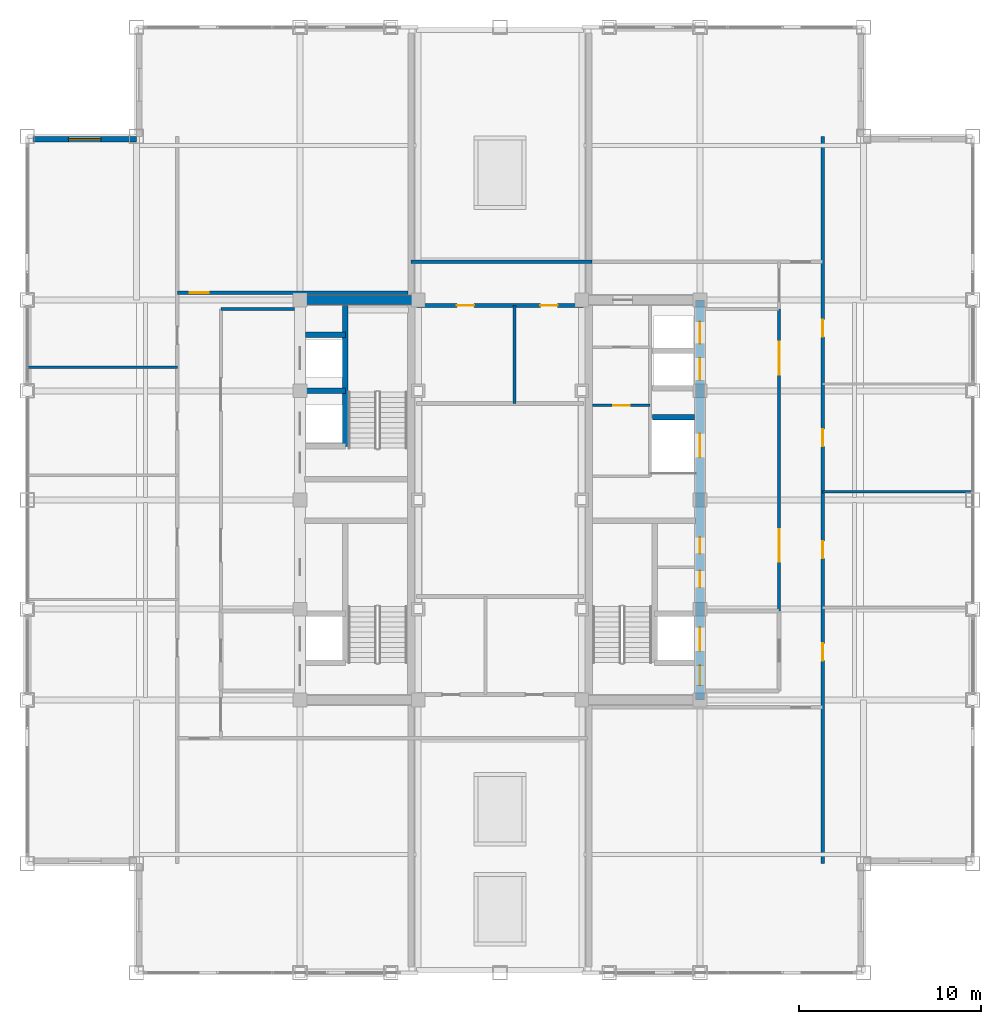
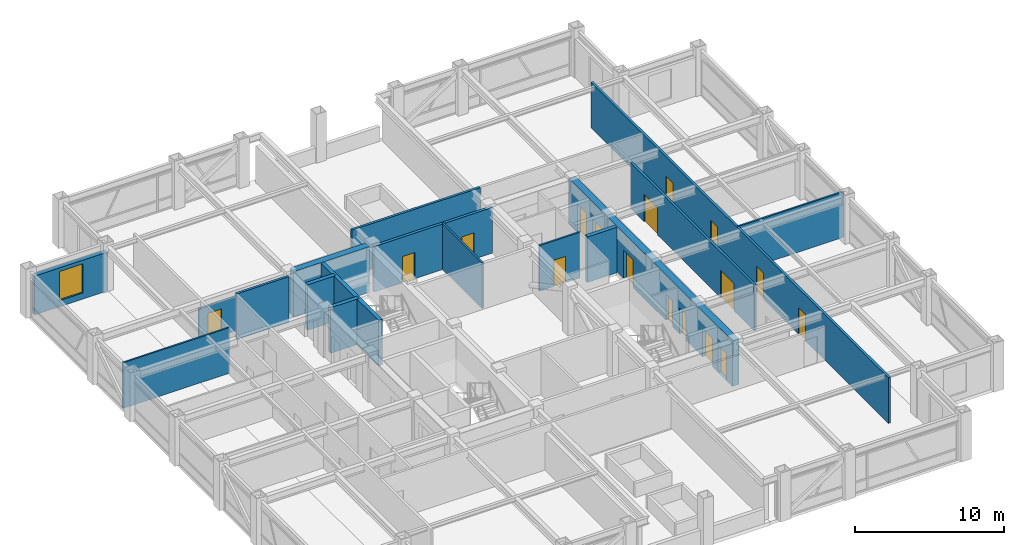
# One storey, part 27 of 29: 17 doors, 17 walls, 1 window, 18 openings.
"""IFC4 building model written with IfcOpenShell, lengths in metres."""

from ifc_helpers import new_model, si_unit, direction, frame, frame_2d, origin, place, context, subcontext, project, spatial, rectangle, extrude, source, transform, mapped, material, layer, layer_set, type_object, element, fill, save


model = new_model("IFC4")

# Units and contexts
model_context = context("Model", 3, precision=1e-05, world=origin(), true_north=direction((0.0, 1.0)))
body_context = subcontext(model_context, "Body", "Model", "MODEL_VIEW")
ifc_project = project(units=[si_unit("LENGTHUNIT", "METRE"), si_unit("AREAUNIT", "SQUARE_METRE"), si_unit("VOLUMEUNIT", "CUBIC_METRE"), si_unit("PLANEANGLEUNIT", "RADIAN"), si_unit("MASSUNIT", "GRAM", prefix="KILO")], contexts=[model_context])

# Site, building, storey
site_placement = place(None, origin())
site = spatial("IfcSite", under=ifc_project, at=site_placement, CompositionType="ELEMENT")
building_placement = place(site_placement, origin())
building = spatial("IfcBuilding", under=site, at=building_placement, Name="Khorayat Bourse Tower", CompositionType="ELEMENT")
storey_placement = place(building_placement, frame((0.0, 0.0, 346.300048828125)))
storey = spatial("IfcBuildingStorey", under=building, at=storey_placement, Name="L82", CompositionType="ELEMENT", Elevation=346.300048828125)

# Wall, openings, doors
ifc_material_1 = material(Name="Concrete C52/65", Category="concrete")
ifc_layer_1 = layer(ifc_material_1, 0.5)
ifc_layer_set_1 = layer_set([ifc_layer_1], Name="Concrete C52/65")
wall_type_1 = type_object("IfcWallType", Name="WAL-CORE-500", PredefinedType="SHEAR", material=ifc_layer_set_1)
shared_shape_1 = source(origin(), body_context, "Body", "SweptSolid", [
    extrude(rectangle(XDim=22.0, YDim=0.5, at=frame_2d((11.0, 0.0))), origin(), (0.0, 0.0, 1.0), 3.739990234375),
])
wall_1_placement = place(storey_placement, frame((11.0, -11.0, 0.0), z_axis=(0.0, 0.0, 1.0), x_axis=(0.0, 1.0, 0.0)))
wall_1 = element("IfcWall", 1, at=wall_1_placement, inside=storey, type_object=wall_type_1, Name="L82 Core Shear Wall CORE-E", PredefinedType="SHEAR", context=body_context, shape_type="MappedRepresentation", body=[
    mapped(shared_shape_1, transform((0.0, 0.0, 0.0), scale=1.0)),
])
shared_shape_2 = source(origin(), body_context, "Body", "SweptSolid", [
    extrude(rectangle(XDim=1.10009765625, YDim=2.199951171875, at=frame_2d((0.550048828125, 1.10009765625))), frame((0.0, 0.260009765625, 0.0), z_axis=(0.0, -1.0, 0.0), x_axis=(1.0, 0.0, 0.0)), (0.0, 0.0, 1.0), 0.52001953125),
])
opening_1_placement = place(wall_1_placement, frame((0.800048828125, 0.0, 0.0)))
opening_1 = element("IfcOpeningElement", 2, at=opening_1_placement, cuts=wall_1, Name="Opening DI-01", PredefinedType="OPENING", context=body_context, shape_type="MappedRepresentation", body=[
    mapped(shared_shape_2, transform((0.0, 0.0, 0.0), scale=1.0)),
])
shared_shape_3 = source(origin(), body_context, "Body", "SweptSolid", [
    extrude(rectangle(XDim=0.89990234375, YDim=2.14990234375, at=frame_2d((0.449951171875, 1.074951171875))), frame((0.0, 0.260009765625, 0.0), z_axis=(0.0, -1.0, 0.0), x_axis=(1.0, 0.0, 0.0)), (0.0, 0.0, 1.0), 0.52001953125),
])
opening_2_placement = place(wall_1_placement, frame((6.199951171875, 0.0, 0.0)))
opening_2 = element("IfcOpeningElement", 3, at=opening_2_placement, cuts=wall_1, Name="Opening DI-06", PredefinedType="OPENING", context=body_context, shape_type="MappedRepresentation", body=[
    mapped(shared_shape_3, transform((0.0, 0.0, 0.0), scale=1.0)),
])
opening_3_placement = place(wall_1_placement, frame((8.050048828125, 0.0, 0.0)))
opening_3 = element("IfcOpeningElement", 4, at=opening_3_placement, cuts=wall_1, Name="Opening DI-06", PredefinedType="OPENING", context=body_context, shape_type="MappedRepresentation", body=[
    mapped(shared_shape_3, transform((0.0, 0.0, 0.0), scale=1.0)),
])
shared_shape_4 = source(origin(), body_context, "Body", "SweptSolid", [
    extrude(rectangle(XDim=1.199951171875, YDim=2.300048828125, at=frame_2d((0.60009765625, 1.14990234375))), frame((0.0, 0.260009765625, 0.0), z_axis=(0.0, -1.0, 0.0), x_axis=(1.0, 0.0, 0.0)), (0.0, 0.0, 1.0), 0.52001953125),
])
opening_4_placement = place(wall_1_placement, frame((17.60009765625, 0.0, 0.0)))
opening_4 = element("IfcOpeningElement", 5, at=opening_4_placement, cuts=wall_1, Name="Opening LD-01", PredefinedType="OPENING", context=body_context, shape_type="MappedRepresentation", body=[
    mapped(shared_shape_4, transform((0.0, 0.0, 0.0), scale=1.0)),
])
opening_5_placement = place(wall_1_placement, frame((19.60009765625, 0.0, 0.0)))
opening_5 = element("IfcOpeningElement", 6, at=opening_5_placement, cuts=wall_1, Name="Opening LD-01", PredefinedType="OPENING", context=body_context, shape_type="MappedRepresentation", body=[
    mapped(shared_shape_4, transform((0.0, 0.0, 0.0), scale=1.0)),
])
shared_shape_5 = source(origin(), body_context, "Body", "SweptSolid", [
    extrude(rectangle(XDim=1.300048828125, YDim=2.300048828125, at=frame_2d((0.64990234375, 1.14990234375))), frame((0.0, 0.260009765625, 0.0), z_axis=(0.0, -1.0, 0.0), x_axis=(1.0, 0.0, 0.0)), (0.0, 0.0, 1.0), 0.52001953125),
])
opening_6_placement = place(wall_1_placement, frame((2.699951171875, 0.0, 0.0)))
opening_6 = element("IfcOpeningElement", 7, at=opening_6_placement, cuts=wall_1, Name="Opening LD-02", PredefinedType="OPENING", context=body_context, shape_type="MappedRepresentation", body=[
    mapped(shared_shape_5, transform((0.0, 0.0, 0.0), scale=1.0)),
])
opening_7_placement = place(wall_1_placement, frame((13.35009765625, 0.0, 0.0)))
opening_7 = element("IfcOpeningElement", 8, at=opening_7_placement, cuts=wall_1, Name="Opening LD-02", PredefinedType="OPENING", context=body_context, shape_type="MappedRepresentation", body=[
    mapped(shared_shape_5, transform((0.0, 0.0, 0.0), scale=1.0)),
])
ifc_material_2 = material(Name="Fire-rated steel acoustic leaf", Category="steel")
door_type_1 = type_object("IfcDoorType", Name="DR-INT-STAIR-1100", OperationType="NOTDEFINED", PredefinedType="DOOR", material=ifc_material_2)
shared_shape_6 = source(origin(), body_context, "Body", "SweptSolid", [
    extrude(rectangle(XDim=1.10009765625, YDim=2.199951171875, at=frame_2d((0.550048828125, 1.10009765625))), frame((0.0, 0.02490234375, 0.0), z_axis=(0.0, -1.0, 0.0), x_axis=(1.0, 0.0, 0.0)), (0.0, 0.0, 1.0), 0.050048828125),
])
door_1_placement = place(opening_1_placement, origin())
door_1 = element("IfcDoor", 9, at=door_1_placement, inside=storey, type_object=door_type_1, Name="L82 Exit Stair 3 Door", OperationType="SINGLE_SWING_LEFT", OverallHeight=2.199951171875, OverallWidth=1.10009765625, PredefinedType="DOOR", context=body_context, shape_type="MappedRepresentation", body=[
    mapped(shared_shape_6, transform((0.0, 0.0, 0.0), scale=1.0)),
])
fill(opening_1, door_1)
ifc_material_3 = material(Name="Moisture-resistant laminate washroom door")
door_type_2 = type_object("IfcDoorType", Name="DR-INT-WC-900", OperationType="NOTDEFINED", PredefinedType="DOOR", material=ifc_material_3)
shared_shape_7 = source(origin(), body_context, "Body", "SweptSolid", [
    extrude(rectangle(XDim=0.89990234375, YDim=2.14990234375, at=frame_2d((0.449951171875, 1.074951171875))), frame((0.0, 0.02490234375, 0.0), z_axis=(0.0, -1.0, 0.0), x_axis=(1.0, 0.0, 0.0)), (0.0, 0.0, 1.0), 0.050048828125),
])
door_2_placement = place(opening_2_placement, origin())
door_2 = element("IfcDoor", 10, at=door_2_placement, inside=storey, type_object=door_type_2, Name="L82 Comms Closet Door", OperationType="SINGLE_SWING_LEFT", OverallHeight=2.14990234375, OverallWidth=0.89990234375, PredefinedType="DOOR", context=body_context, shape_type="MappedRepresentation", body=[
    mapped(shared_shape_7, transform((0.0, 0.0, 0.0), scale=1.0)),
])
fill(opening_2, door_2)
door_3_placement = place(opening_3_placement, origin())
door_3 = element("IfcDoor", 11, at=door_3_placement, inside=storey, type_object=door_type_2, Name="L82 Cleaner Store Door", OperationType="SINGLE_SWING_RIGHT", OverallHeight=2.14990234375, OverallWidth=0.89990234375, PredefinedType="DOOR", context=body_context, shape_type="MappedRepresentation", body=[
    mapped(shared_shape_7, transform((0.0, 0.0, 0.0), scale=1.0)),
])
fill(opening_3, door_3)
ifc_material_4 = material(Name="Brushed bronze stainless-steel sliding door", Category="steel")
door_type_3 = type_object("IfcDoorType", Name="DR-LIFT-PASS-1200", OperationType="NOTDEFINED", PredefinedType="DOOR", material=ifc_material_4)
shared_shape_8 = source(origin(), body_context, "Body", "SweptSolid", [
    extrude(rectangle(XDim=1.199951171875, YDim=2.300048828125, at=frame_2d((0.60009765625, 1.14990234375))), frame((0.0, 0.02490234375, 0.0), z_axis=(0.0, -1.0, 0.0), x_axis=(1.0, 0.0, 0.0)), (0.0, 0.0, 1.0), 0.050048828125),
])
door_4_placement = place(opening_4_placement, origin())
door_4 = element("IfcDoor", 12, at=door_4_placement, inside=storey, type_object=door_type_3, Name="L82 Lift PL-H3 Sliding Landing Door", OperationType="SLIDING_TO_LEFT", OverallHeight=2.300048828125, OverallWidth=1.199951171875, PredefinedType="DOOR", context=body_context, shape_type="MappedRepresentation", body=[
    mapped(shared_shape_8, transform((0.0, 0.0, 0.0), scale=1.0)),
])
fill(opening_4, door_4)
door_5_placement = place(opening_5_placement, origin())
door_5 = element("IfcDoor", 13, at=door_5_placement, inside=storey, type_object=door_type_3, Name="L82 Lift PL-H4 Sliding Landing Door", OperationType="SLIDING_TO_LEFT", OverallHeight=2.300048828125, OverallWidth=1.199951171875, PredefinedType="DOOR", context=body_context, shape_type="MappedRepresentation", body=[
    mapped(shared_shape_8, transform((0.0, 0.0, 0.0), scale=1.0)),
])
fill(opening_5, door_5)
ifc_material_5 = material(Name="Fire-rated stainless-steel sliding landing door", Category="steel")
door_type_4 = type_object("IfcDoorType", Name="DR-LIFT-FF-1300", OperationType="NOTDEFINED", PredefinedType="DOOR", material=ifc_material_5)
shared_shape_9 = source(origin(), body_context, "Body", "SweptSolid", [
    extrude(rectangle(XDim=1.300048828125, YDim=2.300048828125, at=frame_2d((0.64990234375, 1.14990234375))), frame((0.0, 0.02490234375, 0.0), z_axis=(0.0, -1.0, 0.0), x_axis=(1.0, 0.0, 0.0)), (0.0, 0.0, 1.0), 0.050048828125),
])
door_6_placement = place(opening_6_placement, origin())
door_6 = element("IfcDoor", 14, at=door_6_placement, inside=storey, type_object=door_type_4, Name="L82 Lift FFL-02 Sliding Landing Door", OperationType="SLIDING_TO_LEFT", OverallHeight=2.300048828125, OverallWidth=1.300048828125, PredefinedType="DOOR", context=body_context, shape_type="MappedRepresentation", body=[
    mapped(shared_shape_9, transform((0.0, 0.0, 0.0), scale=1.0)),
])
fill(opening_6, door_6)
door_7_placement = place(opening_7_placement, origin())
door_7 = element("IfcDoor", 15, at=door_7_placement, inside=storey, type_object=door_type_4, Name="L82 Lift SVL-01 Sliding Landing Door", OperationType="SLIDING_TO_LEFT", OverallHeight=2.300048828125, OverallWidth=1.300048828125, PredefinedType="DOOR", context=body_context, shape_type="MappedRepresentation", body=[
    mapped(shared_shape_9, transform((0.0, 0.0, 0.0), scale=1.0)),
])
fill(opening_7, door_7)

# Wall
shared_shape_10 = source(origin(), body_context, "Body", "SweptSolid", [
    extrude(rectangle(XDim=5.89990234375, YDim=0.5, at=frame_2d((2.949951171875, 0.0))), origin(), (0.0, 0.0, 1.0), 3.739990234375),
])
wall_2_placement = place(storey_placement, frame((-10.75, 11.0, 0.0), z_axis=(0.0, 0.0, 1.0), x_axis=(1.0, 0.0, 0.0)))
element("IfcWall", 16, at=wall_2_placement, inside=storey, type_object=wall_type_1, Name="L82 Core Shear Wall PIER-WN", PredefinedType="SHEAR", context=body_context, shape_type="MappedRepresentation", body=[
    mapped(shared_shape_10, transform((0.0, 0.0, 0.0), scale=1.0)),
])

# Wall, opening, window
ifc_material_6 = material(Name="Precast concrete C45/55", Category="concrete")
ifc_layer_2 = layer(ifc_material_6, 0.320068359375)
ifc_layer_set_2 = layer_set([ifc_layer_2], Name="Precast concrete C45/55")
wall_type_2 = type_object("IfcWallType", Name="WAL-EXT-STONE-320", PredefinedType="STANDARD", material=ifc_layer_set_2)
shared_shape_11 = source(origin(), body_context, "Body", "SweptSolid", [
    extrude(rectangle(XDim=5.679931640625, YDim=0.320068359375, at=frame_2d((2.83984375, 0.0))), origin(), (0.0, 0.0, 1.0), 3.19091796875),
])
wall_3_placement = place(storey_placement, frame((-20.0, 19.840087890625, 0.0), z_axis=(0.0, 0.0, 1.0), x_axis=(-1.0, 0.0, 0.0)))
wall_3 = element("IfcWall", 17, at=wall_3_placement, inside=storey, type_object=wall_type_2, Name="L82 Re-Entrant Notch Limestone Wall NW-H", PredefinedType="STANDARD", context=body_context, shape_type="MappedRepresentation", body=[
    mapped(shared_shape_11, transform((0.0, 0.0, 0.0), scale=1.0)),
])
shared_shape_12 = source(origin(), body_context, "Body", "SweptSolid", [
    extrude(rectangle(XDim=1.800048828125, YDim=2.39990234375, at=frame_2d((0.89990234375, 1.199951171875))), frame((0.0, 0.169921875, 0.0), z_axis=(0.0, -1.0, 0.0), x_axis=(1.0, 0.0, 0.0)), (0.0, 0.0, 1.0), 0.340087890625),
])
opening_8_placement = place(wall_3_placement, frame((1.93994140625, 0.0, 0.5)))
opening_8 = element("IfcOpeningElement", 18, at=opening_8_placement, cuts=wall_3, Name="Opening WN-04", PredefinedType="OPENING", context=body_context, shape_type="MappedRepresentation", body=[
    mapped(shared_shape_12, transform((0.0, 0.0, 0.0), scale=1.0)),
])
ifc_material_7 = material(Name="Low-E acoustic laminated double glazing", Category="glass")
window_type = type_object("IfcWindowType", Name="WIN-NOTCH-1800x2400", PartitioningType="SINGLE_PANEL", PredefinedType="WINDOW", material=ifc_material_7)
shared_shape_13 = source(origin(), body_context, "Body", "SweptSolid", [
    extrude(rectangle(XDim=1.800048828125, YDim=2.39990234375, at=frame_2d((0.89990234375, 1.199951171875))), frame((0.0, 0.030029296875, 0.0), z_axis=(0.0, -1.0, 0.0), x_axis=(1.0, 0.0, 0.0)), (0.0, 0.0, 1.0), 0.06005859375),
])
window_placement = place(opening_8_placement, origin())
window = element("IfcWindow", 19, at=window_placement, inside=storey, type_object=window_type, Name="L82 Facade Window 1", OverallHeight=2.39990234375, OverallWidth=1.800048828125, PartitioningType="SINGLE_PANEL", PredefinedType="WINDOW", context=body_context, shape_type="MappedRepresentation", body=[
    mapped(shared_shape_13, transform((0.0, 0.0, 0.0), scale=1.0)),
])
fill(opening_8, window)

# Walls
ifc_material_8 = material(Name="Concrete C50/60", Category="concrete")
ifc_layer_3 = layer(ifc_material_8, 0.300048828125)
ifc_layer_set_3 = layer_set([ifc_layer_3], Name="Concrete C50/60")
wall_type_3 = type_object("IfcWallType", Name="WAL-SHAFT-300", PredefinedType="SHEAR", material=ifc_layer_set_3)
shared_shape_14 = source(origin(), body_context, "Body", "SweptSolid", [
    extrude(rectangle(XDim=2.199951171875, YDim=0.300048828125, at=frame_2d((1.10009765625, 0.0))), origin(), (0.0, 0.0, 1.0), 3.739990234375),
])
for number, where, z_axis, x_axis, name in (
    (20, (-10.699951171875, 6.0, 0.0), (0.0, 0.0, 1.0), (1.0, 0.0, 0.0), "L82 Partition WAL-L82-WPIER-H12"),
    (21, (-10.699951171875, 9.10009765625, 0.0), (0.0, 0.0, 1.0), (1.0, 0.0, 0.0), "L82 Partition WAL-L82-WPIER-H2N"),
):
    element("IfcWall", number, at=place(storey_placement, frame(where, z_axis=z_axis, x_axis=x_axis)), inside=storey, type_object=wall_type_3, Name=name, PredefinedType="SHEAR", context=body_context, shape_type="MappedRepresentation", body=[
        mapped(shared_shape_14, transform((0.0, 0.0, 0.0), scale=1.0)),
    ])
shared_shape_15 = source(origin(), body_context, "Body", "SweptSolid", [
    extrude(rectangle(XDim=7.75, YDim=0.300048828125, at=frame_2d((3.875, 0.0))), origin(), (0.0, 0.0, 1.0), 3.739990234375),
])
wall_4_placement = place(storey_placement, frame((-8.5, 2.949951171875, 0.0), z_axis=(0.0, 0.0, 1.0), x_axis=(0.0, 1.0, 0.0)))
element("IfcWall", 22, at=wall_4_placement, inside=storey, type_object=wall_type_3, Name="L82 Partition WAL-L82-WPIER-ST2S", PredefinedType="SHEAR", context=body_context, shape_type="MappedRepresentation", body=[
    mapped(shared_shape_15, transform((0.0, 0.0, 0.0), scale=1.0)),
])
shared_shape_16 = source(origin(), body_context, "Body", "SweptSolid", [
    extrude(rectangle(XDim=2.300048828125, YDim=0.300048828125, at=frame_2d((1.14990234375, 0.0))), origin(), (0.0, 0.0, 1.0), 3.739990234375),
])
wall_5_placement = place(storey_placement, frame((8.39990234375, 4.550048828125, 0.0), z_axis=(0.0, 0.0, 1.0), x_axis=(1.0, 0.0, 0.0)))
element("IfcWall", 23, at=wall_5_placement, inside=storey, type_object=wall_type_3, Name="L82 Partition WAL-L82-EPIER-SVLN", PredefinedType="SHEAR", context=body_context, shape_type="MappedRepresentation", body=[
    mapped(shared_shape_16, transform((0.0, 0.0, 0.0), scale=1.0)),
])

# Wall, opening, door
ifc_material_9 = material(Name="Moisture-resistant masonry partition", Category="masonry")
ifc_layer_4 = layer(ifc_material_9, 0.139892578125)
ifc_layer_set_4 = layer_set([ifc_layer_4], Name="Moisture-resistant masonry partition")
wall_type_4 = type_object("IfcWallType", Name="WAL-PART-WET-140", PredefinedType="PARTITIONING", material=ifc_layer_set_4)
shared_shape_17 = source(origin(), body_context, "Body", "SweptSolid", [
    extrude(rectangle(XDim=3.14990234375, YDim=0.139892578125, at=frame_2d((1.574951171875, 0.0))), origin(), (0.0, 0.0, 1.0), 3.739990234375),
])
wall_6_placement = place(storey_placement, frame((5.10009765625, 5.199951171875, 0.0), z_axis=(0.0, 0.0, 1.0), x_axis=(1.0, 0.0, 0.0)))
wall_6 = element("IfcWall", 24, at=wall_6_placement, inside=storey, type_object=wall_type_4, Name="L82 Partition WAL-L82-ECW-HZ", PredefinedType="PARTITIONING", context=body_context, shape_type="MappedRepresentation", body=[
    mapped(shared_shape_17, transform((0.0, 0.0, 0.0), scale=1.0)),
])
shared_shape_18 = source(origin(), body_context, "Body", "SweptSolid", [
    extrude(rectangle(XDim=0.89990234375, YDim=2.14990234375, at=frame_2d((0.449951171875, 1.074951171875))), frame((0.0, 0.079833984375, 0.0), z_axis=(0.0, -1.0, 0.0), x_axis=(1.0, 0.0, 0.0)), (0.0, 0.0, 1.0), 0.159912109375),
])
opening_9_placement = place(wall_6_placement, frame((1.1298828125, 0.0, 0.0)))
opening_9 = element("IfcOpeningElement", 25, at=opening_9_placement, cuts=wall_6, Name="Opening DI-06", PredefinedType="OPENING", context=body_context, shape_type="MappedRepresentation", body=[
    mapped(shared_shape_18, transform((0.0, 0.0, 0.0), scale=1.0)),
])
door_8_placement = place(opening_9_placement, origin())
door_8 = element("IfcDoor", 26, at=door_8_placement, inside=storey, type_object=door_type_2, Name="L82 Shared Washroom Door", OperationType="SINGLE_SWING_RIGHT", OverallHeight=2.14990234375, OverallWidth=0.89990234375, PredefinedType="DOOR", context=body_context, shape_type="MappedRepresentation", body=[
    mapped(shared_shape_7, transform((0.0, 0.0, 0.0), scale=1.0)),
])
fill(opening_9, door_8)

# Wall
ifc_material_10 = material(Name="Gypsum plasterboard acoustic stud wall")
ifc_layer_5 = layer(ifc_material_10, 0.179931640625)
ifc_layer_set_5 = layer_set([ifc_layer_5], Name="Gypsum plasterboard acoustic stud wall")
wall_type_5 = type_object("IfcWallType", Name="WAL-PART-CORR-180", PredefinedType="PARTITIONING", material=ifc_layer_set_5)
shared_shape_19 = source(origin(), body_context, "Body", "SweptSolid", [
    extrude(rectangle(XDim=4.050048828125, YDim=0.179931640625, at=frame_2d((2.02490234375, 0.0))), origin(), (0.0, 0.0, 1.0), 3.739990234375),
])
wall_7_placement = place(storey_placement, frame((-15.35009765625, 10.5, 0.0), z_axis=(0.0, 0.0, 1.0), x_axis=(1.0, 0.0, 0.0)))
element("IfcWall", 27, at=wall_7_placement, inside=storey, type_object=wall_type_5, Name="L82 Partition WAL-L82-WLOB-N", PredefinedType="PARTITIONING", context=body_context, shape_type="MappedRepresentation", body=[
    mapped(shared_shape_19, transform((0.0, 0.0, 0.0), scale=1.0)),
])

# Wall, openings, doors
shared_shape_20 = source(origin(), body_context, "Body", "SweptSolid", [
    extrude(rectangle(XDim=16.60009765625, YDim=0.179931640625, at=frame_2d((8.300048828125, 0.0))), origin(), (0.0, 0.0, 1.0), 3.739990234375),
])
wall_8_placement = place(storey_placement, frame((15.35009765625, -6.10009765625, 0.0), z_axis=(0.0, 0.0, 1.0), x_axis=(0.0, 1.0, 0.0)))
wall_8 = element("IfcWall", 28, at=wall_8_placement, inside=storey, type_object=wall_type_5, Name="L82 Partition WAL-L82-ELOB-E", PredefinedType="PARTITIONING", context=body_context, shape_type="MappedRepresentation", body=[
    mapped(shared_shape_20, transform((0.0, 0.0, 0.0), scale=1.0)),
])
shared_shape_21 = source(origin(), body_context, "Body", "SweptSolid", [
    extrude(rectangle(XDim=1.800048828125, YDim=2.25, at=frame_2d((0.89990234375, 1.125))), frame((0.0, 0.099853515625, 0.0), z_axis=(0.0, -1.0, 0.0), x_axis=(1.0, 0.0, 0.0)), (0.0, 0.0, 1.0), 0.199951171875),
])
opening_10_placement = place(wall_8_placement, frame((2.699951171875, 0.0, 0.0)))
opening_10 = element("IfcOpeningElement", 29, at=opening_10_placement, cuts=wall_8, Name="Opening DI-03", PredefinedType="OPENING", context=body_context, shape_type="MappedRepresentation", body=[
    mapped(shared_shape_21, transform((0.0, 0.0, 0.0), scale=1.0)),
])
opening_11_placement = place(wall_8_placement, frame((13.0, 0.0, 0.0)))
opening_11 = element("IfcOpeningElement", 30, at=opening_11_placement, cuts=wall_8, Name="Opening DI-03", PredefinedType="OPENING", context=body_context, shape_type="MappedRepresentation", body=[
    mapped(shared_shape_21, transform((0.0, 0.0, 0.0), scale=1.0)),
])
ifc_material_11 = material(Name="Fire-rated hardwood vision-panel double leaf", Category="wood")
door_type_5 = type_object("IfcDoorType", Name="DR-INT-CORR-1800", OperationType="NOTDEFINED", PredefinedType="DOOR", material=ifc_material_11)
shared_shape_22 = source(origin(), body_context, "Body", "SweptSolid", [
    extrude(rectangle(XDim=1.800048828125, YDim=2.25, at=frame_2d((0.89990234375, 1.125))), frame((0.0, 0.02490234375, 0.0), z_axis=(0.0, -1.0, 0.0), x_axis=(1.0, 0.0, 0.0)), (0.0, 0.0, 1.0), 0.050048828125),
])
door_9_placement = place(opening_10_placement, origin())
door_9 = element("IfcDoor", 31, at=door_9_placement, inside=storey, type_object=door_type_5, Name="L82 East Core Lobby South Door", OperationType="SINGLE_SWING_RIGHT", OverallHeight=2.25, OverallWidth=1.800048828125, PredefinedType="DOOR", context=body_context, shape_type="MappedRepresentation", body=[
    mapped(shared_shape_22, transform((0.0, 0.0, 0.0), scale=1.0)),
])
fill(opening_10, door_9)
door_10_placement = place(opening_11_placement, origin())
door_10 = element("IfcDoor", 32, at=door_10_placement, inside=storey, type_object=door_type_5, Name="L82 East Core Lobby North Door", OperationType="SINGLE_SWING_LEFT", OverallHeight=2.25, OverallWidth=1.800048828125, PredefinedType="DOOR", context=body_context, shape_type="MappedRepresentation", body=[
    mapped(shared_shape_22, transform((0.0, 0.0, 0.0), scale=1.0)),
])
fill(opening_11, door_10)

# Wall
ifc_material_12 = material(Name="Gypsum plasterboard twin-frame partition")
ifc_layer_6 = layer(ifc_material_12, 0.14990234375)
ifc_layer_set_6 = layer_set([ifc_layer_6], Name="Gypsum plasterboard twin-frame partition")
wall_type_6 = type_object("IfcWallType", Name="WAL-PART-SUITE-150", PredefinedType="PARTITIONING", material=ifc_layer_set_6)
shared_shape_23 = source(origin(), body_context, "Body", "SweptSolid", [
    extrude(rectangle(XDim=5.39990234375, YDim=0.14990234375, at=frame_2d((2.699951171875, 0.0))), origin(), (0.0, 0.0, 1.0), 3.739990234375),
])
wall_9_placement = place(storey_placement, frame((0.800048828125, 5.300048828125, 0.0), z_axis=(0.0, 0.0, 1.0), x_axis=(0.0, 1.0, 0.0)))
element("IfcWall", 33, at=wall_9_placement, inside=storey, type_object=wall_type_6, Name="L82 Partition WAL-L82-WPB2-D", PredefinedType="PARTITIONING", context=body_context, shape_type="MappedRepresentation", body=[
    mapped(shared_shape_23, transform((0.0, 0.0, 0.0), scale=1.0)),
])

# Wall, openings, doors
ifc_material_13 = material(Name="Aerated concrete blockwork", Category="masonry")
ifc_layer_7 = layer(ifc_material_13, 0.219970703125)
ifc_layer_set_7 = layer_set([ifc_layer_7], Name="Aerated concrete blockwork")
wall_type_7 = type_object("IfcWallType", Name="WAL-PART-FF-220", PredefinedType="PARTITIONING", material=ifc_layer_set_7)
shared_shape_24 = source(origin(), body_context, "Body", "SweptSolid", [
    extrude(rectangle(XDim=9.2001953125, YDim=0.219970703125, at=frame_2d((4.60009765625, 0.0))), origin(), (0.0, 0.0, 1.0), 3.739990234375),
])
wall_10_placement = place(storey_placement, frame((-4.60009765625, 10.699951171875, 0.0), z_axis=(0.0, 0.0, 1.0), x_axis=(1.0, 0.0, 0.0)))
wall_10 = element("IfcWall", 34, at=wall_10_placement, inside=storey, type_object=wall_type_7, Name="L82 Partition WAL-L82-WPB2-N", PredefinedType="PARTITIONING", context=body_context, shape_type="MappedRepresentation", body=[
    mapped(shared_shape_24, transform((0.0, 0.0, 0.0), scale=1.0)),
])
shared_shape_25 = source(origin(), body_context, "Body", "SweptSolid", [
    extrude(rectangle(XDim=0.949951171875, YDim=2.14990234375, at=frame_2d((0.47509765625, 1.074951171875))), frame((0.0, 0.119873046875, 0.0), z_axis=(0.0, -1.0, 0.0), x_axis=(1.0, 0.0, 0.0)), (0.0, 0.0, 1.0), 0.239990234375),
])
opening_12_placement = place(wall_10_placement, frame((2.22509765625, 0.0, 0.0)))
opening_12 = element("IfcOpeningElement", 35, at=opening_12_placement, cuts=wall_10, Name="Opening DI-05", PredefinedType="OPENING", context=body_context, shape_type="MappedRepresentation", body=[
    mapped(shared_shape_25, transform((0.0, 0.0, 0.0), scale=1.0)),
])
opening_13_placement = place(wall_10_placement, frame((6.824951171875, 0.0, 0.0)))
opening_13 = element("IfcOpeningElement", 36, at=opening_13_placement, cuts=wall_10, Name="Opening DI-05", PredefinedType="OPENING", context=body_context, shape_type="MappedRepresentation", body=[
    mapped(shared_shape_25, transform((0.0, 0.0, 0.0), scale=1.0)),
])
ifc_material_14 = material(Name="Acoustic oak veneer office door")
door_type_6 = type_object("IfcDoorType", Name="DR-INT-OFFICE-950", OperationType="NOTDEFINED", PredefinedType="DOOR", material=ifc_material_14)
shared_shape_26 = source(origin(), body_context, "Body", "SweptSolid", [
    extrude(rectangle(XDim=0.949951171875, YDim=2.14990234375, at=frame_2d((0.47509765625, 1.074951171875))), frame((0.0, 0.02490234375, 0.0), z_axis=(0.0, -1.0, 0.0), x_axis=(1.0, 0.0, 0.0)), (0.0, 0.0, 1.0), 0.050048828125),
])
door_11_placement = place(opening_12_placement, origin())
door_11 = element("IfcDoor", 37, at=door_11_placement, inside=storey, type_object=door_type_6, Name="L82 North Bridge Study Door", OperationType="SINGLE_SWING_LEFT", OverallHeight=2.14990234375, OverallWidth=0.949951171875, PredefinedType="DOOR", context=body_context, shape_type="MappedRepresentation", body=[
    mapped(shared_shape_26, transform((0.0, 0.0, 0.0), scale=1.0)),
])
fill(opening_12, door_11)
door_12_placement = place(opening_13_placement, origin())
door_12 = element("IfcDoor", 38, at=door_12_placement, inside=storey, type_object=door_type_6, Name="L82 North Bridge Anemometer Door", OperationType="SINGLE_SWING_RIGHT", OverallHeight=2.14990234375, OverallWidth=0.949951171875, PredefinedType="DOOR", context=body_context, shape_type="MappedRepresentation", body=[
    mapped(shared_shape_26, transform((0.0, 0.0, 0.0), scale=1.0)),
])
fill(opening_13, door_12)

# Wall
shared_shape_27 = source(origin(), body_context, "Body", "SweptSolid", [
    extrude(rectangle(XDim=9.949951171875, YDim=0.179931640625, at=frame_2d((4.97509765625, 0.0))), origin(), (0.0, 0.0, 1.0), 3.739990234375),
])
wall_11_placement = place(storey_placement, frame((-4.89990234375, 13.10009765625, 0.0), z_axis=(0.0, 0.0, 1.0), x_axis=(1.0, 0.0, 0.0)))
element("IfcWall", 39, at=wall_11_placement, inside=storey, type_object=wall_type_5, Name="L82 Partition WAL-L82-ECSTUB-N", PredefinedType="PARTITIONING", context=body_context, shape_type="MappedRepresentation", body=[
    mapped(shared_shape_27, transform((0.0, 0.0, 0.0), scale=1.0)),
])

# Wall, opening, door
shared_shape_28 = source(origin(), body_context, "Body", "SweptSolid", [
    extrude(rectangle(XDim=12.699951171875, YDim=0.179931640625, at=frame_2d((6.35009765625, 0.0))), origin(), (0.0, 0.0, 1.0), 2.7900390625),
])
wall_12_placement = place(storey_placement, frame((-17.75, 11.39990234375, 0.0), z_axis=(0.0, 0.0, 1.0), x_axis=(1.0, 0.0, 0.0)))
wall_12 = element("IfcWall", 40, at=wall_12_placement, inside=storey, type_object=wall_type_5, Name="L82 Partition WAL-L82-WPN-S", PredefinedType="PARTITIONING", context=body_context, shape_type="MappedRepresentation", body=[
    mapped(shared_shape_28, transform((0.0, 0.0, 0.0), scale=1.0)),
])
shared_shape_29 = source(origin(), body_context, "Body", "SweptSolid", [
    extrude(rectangle(XDim=1.050048828125, YDim=2.199951171875, at=frame_2d((0.52490234375, 1.10009765625))), frame((0.0, 0.099853515625, 0.0), z_axis=(0.0, -1.0, 0.0), x_axis=(1.0, 0.0, 0.0)), (0.0, 0.0, 1.0), 0.199951171875),
])
opening_14_placement = place(wall_12_placement, frame((0.675048828125, 0.0, 0.0)))
opening_14 = element("IfcOpeningElement", 41, at=opening_14_placement, cuts=wall_12, Name="Opening DI-04", PredefinedType="OPENING", context=body_context, shape_type="MappedRepresentation", body=[
    mapped(shared_shape_29, transform((0.0, 0.0, 0.0), scale=1.0)),
])
ifc_material_15 = material(Name="Fire-rated oak veneer suite entrance door")
door_type_7 = type_object("IfcDoorType", Name="DR-INT-SUITE-1050", OperationType="NOTDEFINED", PredefinedType="DOOR", material=ifc_material_15)
shared_shape_30 = source(origin(), body_context, "Body", "SweptSolid", [
    extrude(rectangle(XDim=1.050048828125, YDim=2.199951171875, at=frame_2d((0.52490234375, 1.10009765625))), frame((0.0, 0.02490234375, 0.0), z_axis=(0.0, -1.0, 0.0), x_axis=(1.0, 0.0, 0.0)), (0.0, 0.0, 1.0), 0.050048828125),
])
door_13_placement = place(opening_14_placement, origin())
door_13 = element("IfcDoor", 42, at=door_13_placement, inside=storey, type_object=door_type_7, Name="L82 West Portal Trading Door", OperationType="SINGLE_SWING_RIGHT", OverallHeight=2.199951171875, OverallWidth=1.050048828125, PredefinedType="DOOR", context=body_context, shape_type="MappedRepresentation", body=[
    mapped(shared_shape_30, transform((0.0, 0.0, 0.0), scale=1.0)),
])
fill(opening_14, door_13)

# Walls
ifc_material_16 = material(Name="Gypsum plasterboard partition")
ifc_layer_8 = layer(ifc_material_16, 0.125)
ifc_layer_set_8 = layer_set([ifc_layer_8], Name="Gypsum plasterboard partition")
wall_type_8 = type_object("IfcWallType", Name="WAL-PART-ROOM-125", PredefinedType="PARTITIONING", material=ifc_layer_set_8)
shared_shape_31 = source(origin(), body_context, "Body", "SweptSolid", [
    extrude(rectangle(XDim=8.25, YDim=0.125, at=frame_2d((4.125, 0.0))), origin(), (0.0, 0.0, 1.0), 3.739990234375),
])
for number, where, z_axis, x_axis, name in (
    (43, (-26.0, 7.2958984375, 0.0), (0.0, 0.0, 1.0), (1.0, 0.0, 0.0), "L82 Partition WAL-L82-WPWDV-3"),
    (44, (17.75, 0.4560546875, 0.0), (0.0, 0.0, 1.0), (1.0, 0.0, 0.0), "L82 Partition WAL-L82-WPEDV-2"),
):
    element("IfcWall", number, at=place(storey_placement, frame(where, z_axis=z_axis, x_axis=x_axis)), inside=storey, type_object=wall_type_8, Name=name, PredefinedType="PARTITIONING", context=body_context, shape_type="MappedRepresentation", body=[
        mapped(shared_shape_31, transform((0.0, 0.0, 0.0), scale=1.0)),
    ])

# Wall, openings, doors
shared_shape_32 = source(origin(), body_context, "Body", "SweptSolid", [
    extrude(rectangle(XDim=40.0, YDim=0.179931640625, at=frame_2d((20.0, 0.0))), origin(), (0.0, 0.0, 1.0), 3.739990234375),
])
wall_13_placement = place(storey_placement, frame((17.75, -20.0, 0.0), z_axis=(0.0, 0.0, 1.0), x_axis=(0.0, 1.0, 0.0)))
wall_13 = element("IfcWall", 45, at=wall_13_placement, inside=storey, type_object=wall_type_5, Name="L82 Partition WAL-L82-WPECORR", PredefinedType="PARTITIONING", context=body_context, shape_type="MappedRepresentation", body=[
    mapped(shared_shape_32, transform((0.0, 0.0, 0.0), scale=1.0)),
])
shared_shape_33 = source(origin(), body_context, "Body", "SweptSolid", [
    extrude(rectangle(XDim=0.949951171875, YDim=2.14990234375, at=frame_2d((0.47509765625, 1.074951171875))), frame((0.0, 0.099853515625, 0.0), z_axis=(0.0, -1.0, 0.0), x_axis=(1.0, 0.0, 0.0)), (0.0, 0.0, 1.0), 0.199951171875),
])
opening_15_placement = place(wall_13_placement, frame((11.160888671875, 0.0, 0.0)))
opening_15 = element("IfcOpeningElement", 46, at=opening_15_placement, cuts=wall_13, Name="Opening DI-05", PredefinedType="OPENING", context=body_context, shape_type="MappedRepresentation", body=[
    mapped(shared_shape_33, transform((0.0, 0.0, 0.0), scale=1.0)),
])
opening_16_placement = place(wall_13_placement, frame((16.7890625, 0.0, 0.0)))
opening_16 = element("IfcOpeningElement", 47, at=opening_16_placement, cuts=wall_13, Name="Opening DI-05", PredefinedType="OPENING", context=body_context, shape_type="MappedRepresentation", body=[
    mapped(shared_shape_33, transform((0.0, 0.0, 0.0), scale=1.0)),
])
opening_17_placement = place(wall_13_placement, frame((22.945068359375, 0.0, 0.0)))
opening_17 = element("IfcOpeningElement", 48, at=opening_17_placement, cuts=wall_13, Name="Opening DI-05", PredefinedType="OPENING", context=body_context, shape_type="MappedRepresentation", body=[
    mapped(shared_shape_33, transform((0.0, 0.0, 0.0), scale=1.0)),
])
opening_18_placement = place(wall_13_placement, frame((28.967041015625, 0.0, 0.0)))
opening_18 = element("IfcOpeningElement", 49, at=opening_18_placement, cuts=wall_13, Name="Opening DI-05", PredefinedType="OPENING", context=body_context, shape_type="MappedRepresentation", body=[
    mapped(shared_shape_33, transform((0.0, 0.0, 0.0), scale=1.0)),
])
door_14_placement = place(opening_15_placement, origin())
door_14 = element("IfcDoor", 50, at=door_14_placement, inside=storey, type_object=door_type_6, Name="L82 Market Risk Analytics Workspace WPE1 Door", OperationType="SINGLE_SWING_RIGHT", OverallHeight=2.14990234375, OverallWidth=0.949951171875, PredefinedType="DOOR", context=body_context, shape_type="MappedRepresentation", body=[
    mapped(shared_shape_26, transform((0.0, 0.0, 0.0), scale=1.0)),
])
fill(opening_15, door_14)
door_15_placement = place(opening_16_placement, origin())
door_15 = element("IfcDoor", 51, at=door_15_placement, inside=storey, type_object=door_type_6, Name="L82 Market Reference Library WPE2 Door", OperationType="SINGLE_SWING_LEFT", OverallHeight=2.14990234375, OverallWidth=0.949951171875, PredefinedType="DOOR", context=body_context, shape_type="MappedRepresentation", body=[
    mapped(shared_shape_26, transform((0.0, 0.0, 0.0), scale=1.0)),
])
fill(opening_16, door_15)
door_16_placement = place(opening_17_placement, origin())
door_16 = element("IfcDoor", 52, at=door_16_placement, inside=storey, type_object=door_type_6, Name="L82 Members Exchange Lounge WPE3 Door", OperationType="SINGLE_SWING_RIGHT", OverallHeight=2.14990234375, OverallWidth=0.949951171875, PredefinedType="DOOR", context=body_context, shape_type="MappedRepresentation", body=[
    mapped(shared_shape_26, transform((0.0, 0.0, 0.0), scale=1.0)),
])
fill(opening_17, door_16)
door_17_placement = place(opening_18_placement, origin())
door_17 = element("IfcDoor", 53, at=door_17_placement, inside=storey, type_object=door_type_6, Name="L82 Equities Trading Desk WPE4 Door", OperationType="SINGLE_SWING_LEFT", OverallHeight=2.14990234375, OverallWidth=0.949951171875, PredefinedType="DOOR", context=body_context, shape_type="MappedRepresentation", body=[
    mapped(shared_shape_26, transform((0.0, 0.0, 0.0), scale=1.0)),
])
fill(opening_18, door_17)

save(model, "model.ifc")
